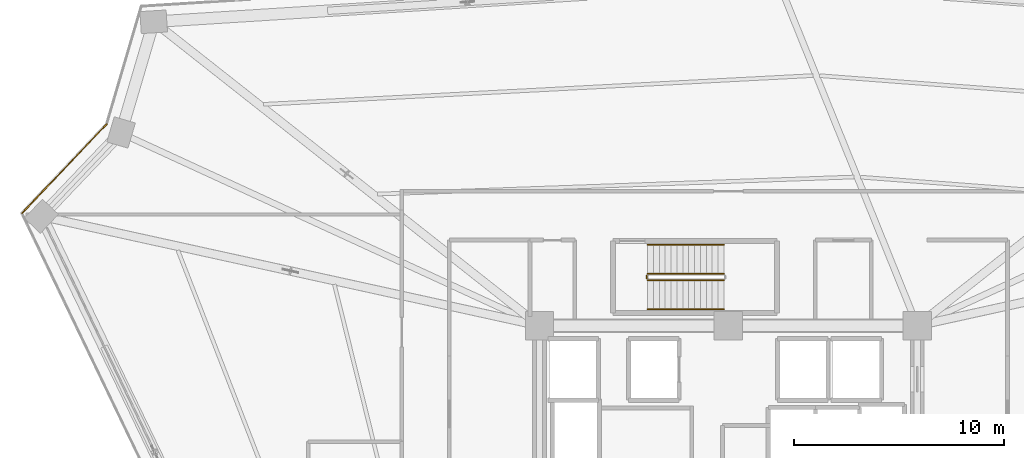
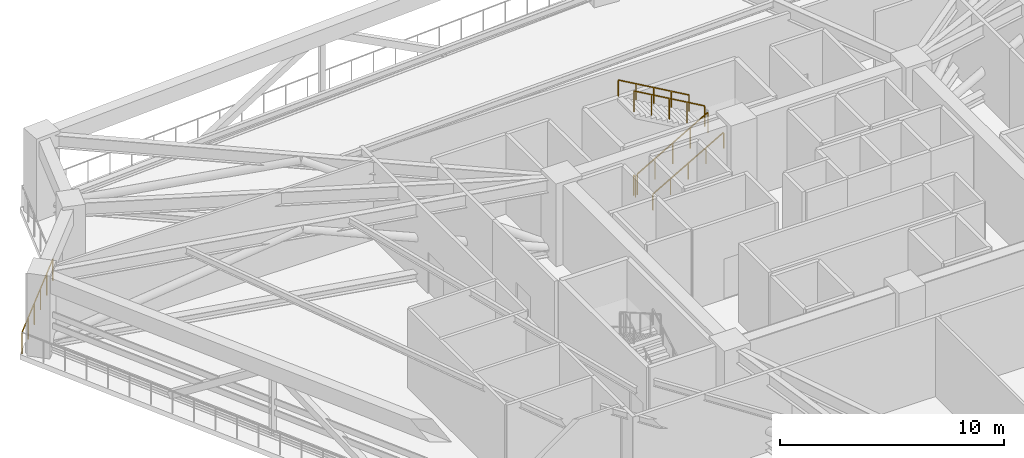
# One storey, part 22 of 25: 6 railings.
"""IFC4 building model written with IfcOpenShell, lengths in metres."""

from ifc_helpers import new_model, si_unit, direction, frame, origin, origin_2d, place, context, subcontext, project, spatial, rectangle, extrude, material, type_object, element, save


model = new_model("IFC4")

# Units and contexts
model_context = context("Model", 3, precision=1e-05, world=origin(), true_north=direction((0.0, 1.0)))
body_context = subcontext(model_context, "Body", "Model", "MODEL_VIEW")
ifc_project = project(units=[si_unit("LENGTHUNIT", "METRE"), si_unit("AREAUNIT", "SQUARE_METRE"), si_unit("VOLUMEUNIT", "CUBIC_METRE"), si_unit("PLANEANGLEUNIT", "RADIAN"), si_unit("MASSUNIT", "GRAM", prefix="KILO")], contexts=[model_context])

# Site, building, storey
site_placement = place(None, origin())
site = spatial("IfcSite", under=ifc_project, at=site_placement, CompositionType="ELEMENT")
building_placement = place(site_placement, origin())
building = spatial("IfcBuilding", under=site, at=building_placement, Name="Liaohun Quay Tower", CompositionType="ELEMENT")
storey_placement = place(building_placement, frame((0.0, 0.0, 231.75)))
storey = spatial("IfcBuildingStorey", under=building, at=storey_placement, Name="L60", CompositionType="ELEMENT", Elevation=231.75)

# Railings
ifc_material_1 = material(Name="Galvanised and powder-coated steel", Category="steel")
railing_type_1 = type_object("IfcRailingType", Name="RLG-GUARD-EXT", PredefinedType="GUARDRAIL", material=ifc_material_1)
railing_1_placement = place(storey_placement, frame((26.341064453125, 66.863037109375, 0.0)))
element("IfcRailing", 1, at=railing_1_placement, inside=storey, type_object=railing_type_1, Name="L60 Open Refuge Band Perimeter Guardrail 03", PredefinedType="GUARDRAIL", context=body_context, shape_type="SweptSolid", body=[
    extrude(rectangle(XDim=0.048095703125, YDim=0.048095703125, at=origin_2d()), frame((0.0, 0.0, 1.17578125), z_axis=(0.68928745912, 0.724487956215, 0.0), x_axis=(-0.724487956215, 0.68928745912, 0.0)), (0.0, 0.0, 1.0), 5.853759765625),
    extrude(rectangle(XDim=0.0419921875, YDim=0.0419921875, at=origin_2d()), origin(), (0.0, 0.0, 1.0), 1.15185546875),
    extrude(rectangle(XDim=0.0419921875, YDim=0.0419921875, at=origin_2d()), frame((0.806884765625, 0.84814453125, 0.0)), (0.0, 0.0, 1.0), 1.15185546875),
    extrude(rectangle(XDim=0.0419921875, YDim=0.0419921875, at=origin_2d()), frame((1.614013671875, 1.6962890625, 0.0)), (0.0, 0.0, 1.0), 1.15185546875),
    extrude(rectangle(XDim=0.0419921875, YDim=0.0419921875, at=origin_2d()), frame((2.4208984375, 2.544677734375, 0.0)), (0.0, 0.0, 1.0), 1.15185546875),
    extrude(rectangle(XDim=0.0419921875, YDim=0.0419921875, at=origin_2d()), frame((3.22802734375, 3.392822265625, 0.0)), (0.0, 0.0, 1.0), 1.15185546875),
    extrude(rectangle(XDim=0.0419921875, YDim=0.0419921875, at=origin_2d()), frame((4.034912109375, 4.240966796875, 0.0)), (0.0, 0.0, 1.0), 1.15185546875),
])
ifc_material_2 = material(Name="Painted tubular steel", Category="steel")
railing_type_2 = type_object("IfcRailingType", Name="RLG-GUARD-STR", PredefinedType="GUARDRAIL", material=ifc_material_2)
railing_2_placement = place(storey_placement, frame((56.14990234375, 63.669921875, 0.16064453125)))
element("IfcRailing", 2, at=railing_2_placement, inside=storey, type_object=railing_type_2, Name="L60 ST-3 stair guard 1", PredefinedType="GUARDRAIL", context=body_context, shape_type="SweptSolid", body=[
    extrude(rectangle(XDim=0.048095703125, YDim=0.048095703125, at=origin_2d()), frame((0.0, 0.0, 1.1259765625), z_axis=(0.867289372828, 0.0, 0.497804322781), x_axis=(0.0, 1.0, 0.0)), (0.0, 0.0, 1.0), 4.197021484375),
    extrude(rectangle(XDim=0.0419921875, YDim=0.0419921875, at=origin_2d()), origin(), (0.0, 0.0, 1.0), 1.101806640625),
    extrude(rectangle(XDim=0.0419921875, YDim=0.0419921875, at=origin_2d()), frame((0.91015625, 0.0, 0.5224609375)), (0.0, 0.0, 1.0), 1.101806640625),
    extrude(rectangle(XDim=0.0419921875, YDim=0.0419921875, at=origin_2d()), frame((1.820068359375, 0.0, 1.044677734375)), (0.0, 0.0, 1.0), 1.101806640625),
    extrude(rectangle(XDim=0.0419921875, YDim=0.0419921875, at=origin_2d()), frame((2.72998046875, 0.0, 1.56689453125)), (0.0, 0.0, 1.0), 1.101806640625),
    extrude(rectangle(XDim=0.0419921875, YDim=0.0419921875, at=origin_2d()), frame((3.64013671875, 0.0, 2.08935546875)), (0.0, 0.0, 1.0), 1.101806640625),
])
railing_3_placement = place(storey_placement, frame((59.7900390625, 63.969970703125, 2.41064453125)))
element("IfcRailing", 3, at=railing_3_placement, inside=storey, type_object=railing_type_2, Name="L60 ST-3 stair guard 3", PredefinedType="GUARDRAIL", context=body_context, shape_type="SweptSolid", body=[
    extrude(rectangle(XDim=0.048095703125, YDim=0.048095703125, at=origin_2d()), frame((0.0, 0.0, 1.1259765625), z_axis=(-0.867289372828, 0.0, 0.497804322781), x_axis=(0.0, -1.0, 0.0)), (0.0, 0.0, 1.0), 4.197021484375),
    extrude(rectangle(XDim=0.0419921875, YDim=0.0419921875, at=origin_2d()), origin(), (0.0, 0.0, 1.0), 1.101806640625),
    extrude(rectangle(XDim=0.0419921875, YDim=0.0419921875, at=origin_2d()), frame((-0.91015625, 0.0, 0.5224609375)), (0.0, 0.0, 1.0), 1.101806640625),
    extrude(rectangle(XDim=0.0419921875, YDim=0.0419921875, at=origin_2d()), frame((-1.820068359375, 0.0, 1.044677734375)), (0.0, 0.0, 1.0), 1.101806640625),
    extrude(rectangle(XDim=0.0419921875, YDim=0.0419921875, at=origin_2d()), frame((-2.72998046875, 0.0, 1.56689453125)), (0.0, 0.0, 1.0), 1.101806640625),
    extrude(rectangle(XDim=0.0419921875, YDim=0.0419921875, at=origin_2d()), frame((-3.64013671875, 0.0, 2.08935546875)), (0.0, 0.0, 1.0), 1.101806640625),
])
railing_4_placement = place(storey_placement, frame((56.10009765625, 63.75, 0.0)))
element("IfcRailing", 4, at=railing_4_placement, inside=storey, type_object=railing_type_2, Name="L60 ST-3 stair guard 4", PredefinedType="GUARDRAIL", context=body_context, shape_type="SweptSolid", body=[
    extrude(rectangle(XDim=0.048095703125, YDim=0.048095703125, at=origin_2d()), frame((0.0, 0.0, 1.1259765625), z_axis=(0.0, 1.0, 0.0), x_axis=(-1.0, 0.0, 0.0)), (0.0, 0.0, 1.0), 0.139892578125),
    extrude(rectangle(XDim=0.0419921875, YDim=0.0419921875, at=origin_2d()), origin(), (0.0, 0.0, 1.0), 1.101806640625),
    extrude(rectangle(XDim=0.0419921875, YDim=0.0419921875, at=origin_2d()), frame((0.0, 0.139892578125, 0.0)), (0.0, 0.0, 1.0), 1.101806640625),
])
ifc_material_3 = material(Name="Brushed stainless steel", Category="steel")
railing_type_3 = type_object("IfcRailingType", Name="RLG-HND-STR", PredefinedType="HANDRAIL", material=ifc_material_3)
railing_5_placement = place(storey_placement, frame((56.14990234375, 62.280029296875, 0.16064453125)))
element("IfcRailing", 5, at=railing_5_placement, inside=storey, type_object=railing_type_3, Name="L60 ST-3 stair handrail 1", PredefinedType="HANDRAIL", context=body_context, shape_type="SweptSolid", body=[
    extrude(rectangle(XDim=0.048095703125, YDim=0.048095703125, at=origin_2d()), frame((0.0, 0.0, 0.8759765625), z_axis=(0.867289372828, 0.0, 0.497804322781), x_axis=(0.0, 1.0, 0.0)), (0.0, 0.0, 1.0), 4.197021484375),
    extrude(rectangle(XDim=0.0419921875, YDim=0.0419921875, at=origin_2d()), origin(), (0.0, 0.0, 1.0), 0.851806640625),
    extrude(rectangle(XDim=0.0419921875, YDim=0.0419921875, at=origin_2d()), frame((0.91015625, 0.0, 0.5224609375)), (0.0, 0.0, 1.0), 0.851806640625),
    extrude(rectangle(XDim=0.0419921875, YDim=0.0419921875, at=origin_2d()), frame((1.820068359375, 0.0, 1.044677734375)), (0.0, 0.0, 1.0), 0.851806640625),
    extrude(rectangle(XDim=0.0419921875, YDim=0.0419921875, at=origin_2d()), frame((2.72998046875, 0.0, 1.56689453125)), (0.0, 0.0, 1.0), 0.851806640625),
    extrude(rectangle(XDim=0.0419921875, YDim=0.0419921875, at=origin_2d()), frame((3.64013671875, 0.0, 2.08935546875)), (0.0, 0.0, 1.0), 0.851806640625),
])
railing_6_placement = place(storey_placement, frame((59.7900390625, 65.360107421875, 2.41064453125)))
element("IfcRailing", 6, at=railing_6_placement, inside=storey, type_object=railing_type_3, Name="L60 ST-3 stair handrail 2", PredefinedType="HANDRAIL", context=body_context, shape_type="SweptSolid", body=[
    extrude(rectangle(XDim=0.048095703125, YDim=0.048095703125, at=origin_2d()), frame((0.0, 0.0, 0.8759765625), z_axis=(-0.867289372828, 0.0, 0.497804322781), x_axis=(0.0, -1.0, 0.0)), (0.0, 0.0, 1.0), 4.197021484375),
    extrude(rectangle(XDim=0.0419921875, YDim=0.0419921875, at=origin_2d()), origin(), (0.0, 0.0, 1.0), 0.851806640625),
    extrude(rectangle(XDim=0.0419921875, YDim=0.0419921875, at=origin_2d()), frame((-0.91015625, 0.0, 0.5224609375)), (0.0, 0.0, 1.0), 0.851806640625),
    extrude(rectangle(XDim=0.0419921875, YDim=0.0419921875, at=origin_2d()), frame((-1.820068359375, 0.0, 1.044677734375)), (0.0, 0.0, 1.0), 0.851806640625),
    extrude(rectangle(XDim=0.0419921875, YDim=0.0419921875, at=origin_2d()), frame((-2.72998046875, 0.0, 1.56689453125)), (0.0, 0.0, 1.0), 0.851806640625),
    extrude(rectangle(XDim=0.0419921875, YDim=0.0419921875, at=origin_2d()), frame((-3.64013671875, 0.0, 2.08935546875)), (0.0, 0.0, 1.0), 0.851806640625),
])

save(model, "model.ifc")
